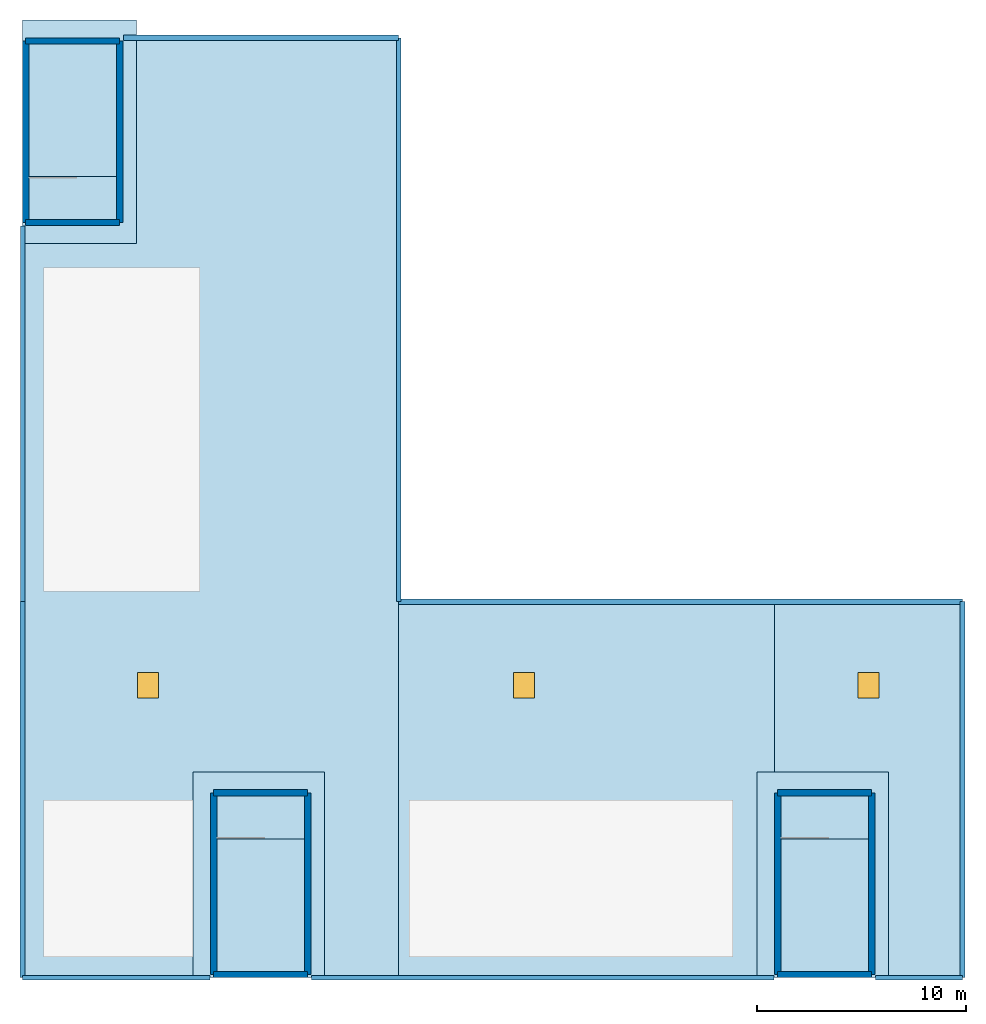
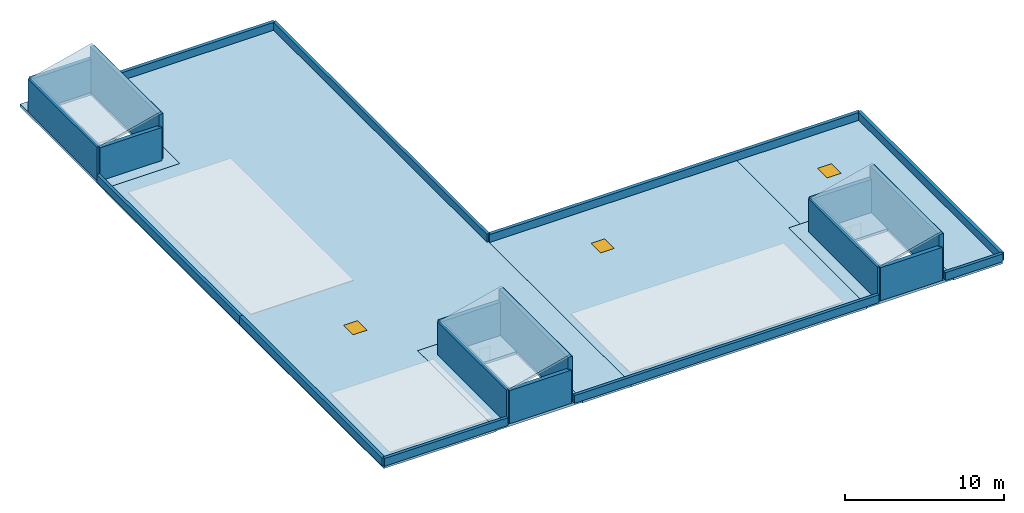
# One storey, part 1 of 2: 21 walls, 9 slabs, 3 doors, 3 openings.
"""IFC4 building model written with IfcOpenShell, lengths in metres."""

import ifcopenshell
import ifcopenshell.guid

model = None  # the IFC model being written
_history = None  # IfcOwnerHistory: only IFC2X3 demands one
_inside = {}  # id of a spatial element -> (the spatial element, [elements in it])
_under = {}  # id of a project, library or spatial element -> (it, [spatial elements below it])
_declared = {}  # id of a project -> (the project, [libraries it declares])
_typed = {}  # id of a type object -> (the type object, [elements of that type])
_made_of = {}  # id of a material, layer set ... -> (it, [elements and type objects made of it])


def new_model(schema):
    """Start an empty IFC model of exactly this schema.

    Asked for "IFC4X3", IfcOpenShell would pick the latest addendum, in which some entities
    have other attributes; the version numbers below select the first issue.
    IFC2X3 requires an IfcOwnerHistory on every rooted entity: one is made here for all.
    """
    global model, _history
    if schema == "IFC4X3":
        model = ifcopenshell.file(schema_version=(4, 3, 0, 0))
    else:
        model = ifcopenshell.file(schema=schema)
    _inside.clear()
    _under.clear()
    _declared.clear()
    _typed.clear()
    _made_of.clear()
    _history = None
    if model.schema == "IFC2X3":
        org = make("IfcOrganization", Name="unknown")
        user = make(
            "IfcPersonAndOrganization",
            ThePerson=make("IfcPerson", FamilyName="unknown"),
            TheOrganization=org,
        )
        app = make(
            "IfcApplication",
            ApplicationDeveloper=org,
            Version="unknown",
            ApplicationFullName="unknown",
            ApplicationIdentifier="unknown",
        )
        _history = make(
            "IfcOwnerHistory",
            OwningUser=user,
            OwningApplication=app,
            ChangeAction="ADDED",
            CreationDate=0,
        )
    return model


def make(cls, **values):
    """One entity of the class cls with the attributes given. An attribute that is None is left unset."""
    return model.create_entity(
        cls, **{name: value for name, value in values.items() if value is not None}
    )


def rooted(cls, **values):
    """An entity with a GlobalId (a new one), such as an element, a storey or a relation."""
    return make(cls, GlobalId=ifcopenshell.guid.new(), OwnerHistory=_history, **values)


def si_unit(unit_type, name, prefix=None):
    """IfcSIUnit, for example si_unit("LENGTHUNIT", "METRE", prefix="MILLI")."""
    return make("IfcSIUnit", UnitType=unit_type, Prefix=prefix, Name=name)


def assignment(units):
    """IfcUnitAssignment: the units of a project."""
    return None if units is None else make("IfcUnitAssignment", Units=units)


def point(xyz):
    """IfcCartesianPoint."""
    return None if xyz is None else make("IfcCartesianPoint", Coordinates=xyz)


def direction(xyz):
    """IfcDirection."""
    return None if xyz is None else make("IfcDirection", DirectionRatios=xyz)


def frame(location, z_axis=None, x_axis=None):
    """IfcAxis2Placement3D, a coordinate frame: its origin and axes. An axis left out is left unset."""
    return make(
        "IfcAxis2Placement3D",
        Location=point(location),
        Axis=direction(z_axis),
        RefDirection=direction(x_axis),
    )


def frame_2d(location, x_axis=None):
    """IfcAxis2Placement2D, a coordinate frame in the plane: its origin and x axis."""
    return make(
        "IfcAxis2Placement2D", Location=point(location), RefDirection=direction(x_axis)
    )


def origin():
    """The frame at (0, 0, 0) with its axes left unset."""
    return frame((0.0, 0.0, 0.0))


def origin_2d():
    """The frame at (0, 0) in the plane with its x axis left unset."""
    return frame_2d((0.0, 0.0))


def place(relative_to, where):
    """IfcLocalPlacement: puts the frame where relative to a parent placement (None: the world)."""
    return make(
        "IfcLocalPlacement", PlacementRelTo=relative_to, RelativePlacement=where
    )


def context(
    kind, dimensions, precision=None, world=None, true_north=None, identifier=None
):
    """IfcGeometricRepresentationContext, for example the 3D "Model" context."""
    return make(
        "IfcGeometricRepresentationContext",
        ContextIdentifier=identifier,
        ContextType=kind,
        CoordinateSpaceDimension=dimensions,
        Precision=precision,
        WorldCoordinateSystem=world,
        TrueNorth=true_north,
    )


def subcontext(parent, identifier, kind, view, scale=None):
    """IfcGeometricRepresentationSubContext, for example "Body" below "Model"."""
    return make(
        "IfcGeometricRepresentationSubContext",
        ContextIdentifier=identifier,
        ContextType=kind,
        ParentContext=parent,
        TargetScale=scale,
        TargetView=view,
    )


def project(units=None, contexts=None):
    """IfcProject with its units and contexts."""
    return rooted(
        "IfcProject",
        Name="project",
        RepresentationContexts=contexts,
        UnitsInContext=assignment(units),
    )


def spatial(cls, under=None, at=None, **own):
    """A site, building, storey or space (cls), placed at a placement, below another one or the project."""
    s = rooted(cls, ObjectPlacement=at, **own)
    if under is not None:
        _under.setdefault(under.id(), (under, []))[1].append(s)
    return s


def polyline(points):
    """IfcPolyline through the points."""
    return make("IfcPolyline", Points=[point(p) for p in points])


def profile(cls, at=None, kind="AREA", **sizes):
    """A parametric profile (cls). Its sizes go by their IFC names, for example OverallWidth=200.0."""
    return make(cls, ProfileType=kind, Position=at, **sizes)


def rectangle(**sizes):
    """IfcRectangleProfileDef."""
    return profile("IfcRectangleProfileDef", **sizes)


def outline(outer, holes=None, kind="AREA"):
    """IfcArbitraryClosedProfileDef: a profile drawn as a closed curve; with holes, ...WithVoids."""
    if holes is None:
        return make("IfcArbitraryClosedProfileDef", ProfileType=kind, OuterCurve=outer)
    return make(
        "IfcArbitraryProfileDefWithVoids",
        ProfileType=kind,
        OuterCurve=outer,
        InnerCurves=holes,
    )


def extrude(swept, where, along, depth):
    """IfcExtrudedAreaSolid: the profile swept, set in the frame where, extruded along a direction by depth."""
    return make(
        "IfcExtrudedAreaSolid",
        SweptArea=swept,
        Position=where,
        ExtrudedDirection=direction(along),
        Depth=depth,
    )


def shape(context_of_items, identifier, shape_type, items):
    """IfcShapeRepresentation: the items that make up one representation, for example the "Body"."""
    return make(
        "IfcShapeRepresentation",
        ContextOfItems=context_of_items,
        RepresentationIdentifier=identifier,
        RepresentationType=shape_type,
        Items=items,
    )


def material(Name=None, Category=None):
    """IfcMaterial."""
    return make("IfcMaterial", Name=Name, Category=Category)


def layer(
    of_material, thickness, ventilated=None, Name=None, Category=None, Priority=None
):
    """IfcMaterialLayer: one layer of a wall or slab, of a material (None: an air gap)."""
    return make(
        "IfcMaterialLayer",
        Material=of_material,
        LayerThickness=thickness,
        IsVentilated=ventilated,
        Name=Name,
        Category=Category,
        Priority=Priority,
    )


def layer_set(layers, Name=None):
    """IfcMaterialLayerSet."""
    return make("IfcMaterialLayerSet", MaterialLayers=layers, LayerSetName=Name)


def made_of(thing, what):
    """Note that an element or type object is made of a material, layer set ...; save() writes the relation."""
    if what is not None:
        _made_of.setdefault(what.id(), (what, []))[1].append(thing)
    return thing


def type_object(cls, material=None, **own):
    """A type object (cls), such as IfcWallType, which elements share."""
    return made_of(rooted(cls, **own), material)


def element(
    cls,
    number,
    at=None,
    inside=None,
    cuts=None,
    type_object=None,
    material=None,
    context=None,
    identifier="Body",
    shape_type=None,
    held_by="IfcProductDefinitionShape",
    body=None,
    shapes=None,
    **own,
):
    """One element of the class cls, such as IfcWall. Its Tag is "e" and its number.

    at: its placement. inside: the storey or other place that contains it. cuts: it is an
    opening in that element (IfcRelVoidsElement). A single representation is given by context,
    identifier, shape_type and body (its items); several are given by shapes. held_by: the class
    of the entity that holds the representations. save() writes the other relations.
    """
    e = rooted(cls, Tag="e%d" % number, ObjectPlacement=at, **own)
    if body is not None:
        shapes = [shape(context, identifier, shape_type, body)]
    if shapes is not None:
        e.Representation = make(held_by, Representations=shapes)
    if inside is not None:
        _inside.setdefault(inside.id(), (inside, []))[1].append(e)
    if cuts is not None:
        rooted(
            "IfcRelVoidsElement", RelatingBuildingElement=cuts, RelatedOpeningElement=e
        )
    if type_object is not None:
        _typed.setdefault(type_object.id(), (type_object, []))[1].append(e)
    return made_of(e, material)


def fill(opening, filler):
    """IfcRelFillsElement: the door or window that sits in an opening."""
    return rooted(
        "IfcRelFillsElement",
        RelatingOpeningElement=opening,
        RelatedBuildingElement=filler,
    )


def aggregate(whole, parts):
    """IfcRelAggregates: a whole, such as a stair, and the parts it consists of."""
    return rooted("IfcRelAggregates", RelatingObject=whole, RelatedObjects=parts)


def save(model, path):
    """Write the relations noted so far, then the file.

    IfcRelAggregates (storeys below a building ...), IfcRelContainedInSpatialStructure (elements
    in a storey), IfcRelDefinesByType, IfcRelAssociatesMaterial and IfcRelDeclares: one each for
    every whole, place, type object, material and project.
    """
    for whole, parts in _under.values():
        aggregate(whole, parts)
    for where, things in _inside.values():
        rooted(
            "IfcRelContainedInSpatialStructure",
            RelatedElements=things,
            RelatingStructure=where,
        )
    for kind, things in _typed.values():
        rooted("IfcRelDefinesByType", RelatedObjects=things, RelatingType=kind)
    for what, things in _made_of.values():
        rooted("IfcRelAssociatesMaterial", RelatedObjects=things, RelatingMaterial=what)
    for by, libraries in _declared.values():
        rooted("IfcRelDeclares", RelatingContext=by, RelatedDefinitions=libraries)
    model.write(path)


model = new_model("IFC4")

# Units and contexts
model_context = context("Model", 3, precision=1e-05, world=origin(), true_north=direction((0.0, 1.0)))
body_context = subcontext(model_context, "Body", "Model", "MODEL_VIEW")
ifc_project = project(units=[si_unit("LENGTHUNIT", "METRE"), si_unit("AREAUNIT", "SQUARE_METRE"), si_unit("VOLUMEUNIT", "CUBIC_METRE"), si_unit("PLANEANGLEUNIT", "RADIAN"), si_unit("MASSUNIT", "GRAM", prefix="KILO")], contexts=[model_context])

# Site, building, storey
site_placement = place(None, origin())
site = spatial("IfcSite", under=ifc_project, at=site_placement, CompositionType="ELEMENT")
building_placement = place(site_placement, origin())
building = spatial("IfcBuilding", under=site, at=building_placement, Name="Palais des Congres Ocreval", CompositionType="ELEMENT")
storey_placement = place(building_placement, frame((0.0, 0.0, 30.39990234375)))
storey = spatial("IfcBuildingStorey", under=building, at=storey_placement, Name="RF", CompositionType="ELEMENT", Elevation=30.39990234375)

# Slab, opening, door
ifc_material_1 = material(Name="Concrete C40/50", Category="concrete")
ifc_layer_1 = layer(ifc_material_1, 0.25)
ifc_layer_set_1 = layer_set([ifc_layer_1], Name="Folded and Crown Roof Deck 250 Concrete C40/50")
slab_type_1 = type_object("IfcSlabType", Name="Folded and Crown Roof Deck 250 Concrete C40/50", PredefinedType="ROOF", material=ifc_layer_set_1)
slab_1_placement = place(storey_placement, frame((0.0, 0.0, -0.25)))
slab_1 = element("IfcSlab", 1, at=slab_1_placement, inside=storey, type_object=slab_type_1, Name="Roof Slab SL09 RF V4-1", PredefinedType="ROOF", context=body_context, shape_type="SweptSolid", body=[
    extrude(outline(polyline([(14.449951171875, 0.0), (14.449951171875, 9.85009765625), (8.14990234375, 9.85009765625), (8.14990234375, 0.0), (0.0, 0.0), (0.0, 18.0), (0.0, 35.14990234375), (5.449951171875, 35.14990234375), (5.449951171875, 45.0), (18.0, 45.0), (18.0, 18.0), (18.0, 0.0), (14.449951171875, 0.0)])), origin(), (0.0, 0.0, 1.0), 0.25),
])
opening_1_placement = place(slab_1_placement, frame((6.0, 14.0, 0.0)))
opening_1 = element("IfcOpeningElement", 2, at=opening_1_placement, cuts=slab_1, Name="Opening RH01", PredefinedType="OPENING", context=body_context, shape_type="SweptSolid", body=[
    extrude(rectangle(XDim=1.0, YDim=1.199951171875, at=origin_2d()), frame((0.0, 0.0, -0.010009765625), z_axis=(0.0, 0.0, 1.0), x_axis=(1.0, 0.0, 0.0)), (0.0, 0.0, 1.0), 0.27001953125),
])
ifc_material_2 = material(Name="Galvanized painted steel", Category="steel")
door_type = type_object("IfcDoorType", Name="Insulated Roof Access Hatch 1000x1200", OperationType="NOTDEFINED", PredefinedType="TRAPDOOR", material=ifc_material_2)
door_1_placement = place(opening_1_placement, frame((0.0, 0.0, 0.199951171875)))
door_1 = element("IfcDoor", 3, at=door_1_placement, inside=storey, type_object=door_type, Name="Roof Access Hatch RH01 1", OperationType="SINGLE_SWING_LEFT", OverallHeight=1.199951171875, OverallWidth=1.0, PredefinedType="TRAPDOOR", context=body_context, shape_type="SweptSolid", body=[
    extrude(rectangle(XDim=1.0, YDim=1.199951171875, at=origin_2d()), origin(), (0.0, 0.0, 1.0), 0.050048828125),
])
fill(opening_1, door_1)

slab_2_placement = place(storey_placement, frame((0.0, 0.0, -0.25)))
slab_2 = element("IfcSlab", 4, at=slab_2_placement, inside=storey, type_object=slab_type_1, Name="Roof Slab SL09 RF V4-2", PredefinedType="ROOF", context=body_context, shape_type="SweptSolid", body=[
    extrude(outline(polyline([(35.14990234375, 9.85009765625), (35.14990234375, 0.0), (18.0, 0.0), (18.0, 18.0), (36.0, 18.0), (36.0, 9.85009765625), (35.14990234375, 9.85009765625)])), origin(), (0.0, 0.0, 1.0), 0.25),
])
opening_2_placement = place(slab_2_placement, frame((24.0, 14.0, 0.0)))
opening_2 = element("IfcOpeningElement", 5, at=opening_2_placement, cuts=slab_2, Name="Opening RH01", PredefinedType="OPENING", context=body_context, shape_type="SweptSolid", body=[
    extrude(rectangle(XDim=1.0, YDim=1.199951171875, at=origin_2d()), frame((0.0, 0.0, -0.010009765625), z_axis=(0.0, 0.0, 1.0), x_axis=(1.0, 0.0, 0.0)), (0.0, 0.0, 1.0), 0.27001953125),
])
door_2_placement = place(opening_2_placement, frame((0.0, 0.0, 0.199951171875)))
door_2 = element("IfcDoor", 6, at=door_2_placement, inside=storey, type_object=door_type, Name="Roof Access Hatch RH01 2", OperationType="SINGLE_SWING_LEFT", OverallHeight=1.199951171875, OverallWidth=1.0, PredefinedType="TRAPDOOR", context=body_context, shape_type="SweptSolid", body=[
    extrude(rectangle(XDim=1.0, YDim=1.199951171875, at=origin_2d()), origin(), (0.0, 0.0, 1.0), 0.050048828125),
])
fill(opening_2, door_2)

slab_3_placement = place(storey_placement, frame((0.0, 0.0, -0.25)))
slab_3 = element("IfcSlab", 7, at=slab_3_placement, inside=storey, type_object=slab_type_1, Name="Roof Slab SL09 RF V4-3", PredefinedType="ROOF", context=body_context, shape_type="SweptSolid", body=[
    extrude(outline(polyline([(41.449951171875, 0.0), (41.449951171875, 9.85009765625), (36.0, 9.85009765625), (36.0, 18.0), (45.0, 18.0), (45.0, 0.0), (41.449951171875, 0.0)])), origin(), (0.0, 0.0, 1.0), 0.25),
])
opening_3_placement = place(slab_3_placement, frame((40.5, 14.0, 0.0)))
opening_3 = element("IfcOpeningElement", 8, at=opening_3_placement, cuts=slab_3, Name="Opening RH01", PredefinedType="OPENING", context=body_context, shape_type="SweptSolid", body=[
    extrude(rectangle(XDim=1.0, YDim=1.199951171875, at=origin_2d()), frame((0.0, 0.0, -0.010009765625), z_axis=(0.0, 0.0, 1.0), x_axis=(1.0, 0.0, 0.0)), (0.0, 0.0, 1.0), 0.27001953125),
])
door_3_placement = place(opening_3_placement, frame((0.0, 0.0, 0.199951171875)))
door_3 = element("IfcDoor", 9, at=door_3_placement, inside=storey, type_object=door_type, Name="Roof Access Hatch RH01 3", OperationType="SINGLE_SWING_LEFT", OverallHeight=1.199951171875, OverallWidth=1.0, PredefinedType="TRAPDOOR", context=body_context, shape_type="SweptSolid", body=[
    extrude(rectangle(XDim=1.0, YDim=1.199951171875, at=origin_2d()), origin(), (0.0, 0.0, 1.0), 0.050048828125),
])
fill(opening_3, door_3)

# Slabs
ifc_layer_2 = layer(ifc_material_1, 0.175048828125)
ifc_layer_set_2 = layer_set([ifc_layer_2], Name="Penthouse Shed Roof Slab 175 Concrete C40/50")
slab_type_2 = type_object("IfcSlabType", Name="Penthouse Shed Roof Slab 175 Concrete C40/50", PredefinedType="ROOF", material=ifc_layer_set_2)
for number, where, z_axis, x_axis, name in (
    (10, (9.14990234375, 0.14990234375, 2.550048828125), (-0.241941038466, 0.0, 0.970290953223), (0.970290953223, 0.0, 0.241941038466), "Penthouse Pitched Overrun Roof SC01"),
    (11, (36.14990234375, 0.14990234375, 2.550048828125), (-0.241941038466, 0.0, 0.970290953223), (0.970290953223, 0.0, 0.241941038466), "Penthouse Pitched Overrun Roof SC02"),
    (12, (0.14990234375, 36.14990234375, 2.550048828125), (-0.241941038466, 0.0, 0.970290953223), (0.970290953223, 0.0, 0.241941038466), "Penthouse Pitched Overrun Roof SC03"),
):
    element("IfcSlab", number, at=place(storey_placement, frame(where, z_axis=z_axis, x_axis=x_axis)), inside=storey, type_object=slab_type_2, Name=name, PredefinedType="ROOF", context=body_context, shape_type="SweptSolid", body=[
        extrude(outline(polyline([(0.0, 0.0), (4.637784146140681, 0.0), (4.637784146140681, 8.7001953125), (0.0, 8.7001953125), (0.0, 0.0)])), origin(), (0.0, 0.0, -1.0), 0.175048828125),
    ])
ifc_layer_3 = layer(ifc_material_1, 0.199951171875)
ifc_layer_set_3 = layer_set([ifc_layer_3], Name="Stair and Ramp Landing Slab 200 Concrete C40/50")
slab_type_3 = type_object("IfcSlabType", Name="Stair and Ramp Landing Slab 200 Concrete C40/50", PredefinedType="LANDING", material=ifc_layer_set_3)
slab_4_placement = place(storey_placement, frame((0.0, 0.0, -0.199951171875)))
element("IfcSlab", 13, at=slab_4_placement, inside=storey, type_object=slab_type_3, Name="Roof Penthouse Stair Landing ST01", PredefinedType="LANDING", context=body_context, shape_type="SweptSolid", body=[
    extrude(outline(polyline([(8.14990234375, 0.0), (14.449951171875, 0.0), (14.449951171875, 9.85009765625), (8.14990234375, 9.85009765625), (8.14990234375, 0.0)]), holes=[polyline([(9.300048828125, 0.300048828125), (13.5, 0.300048828125), (13.5, 6.64990234375), (9.300048828125, 6.64990234375), (9.300048828125, 0.300048828125)])]), origin(), (0.0, 0.0, 1.0), 0.199951171875),
])
slab_5_placement = place(storey_placement, frame((0.0, 0.0, -0.199951171875)))
element("IfcSlab", 14, at=slab_5_placement, inside=storey, type_object=slab_type_3, Name="Roof Penthouse Stair Landing ST02", PredefinedType="LANDING", context=body_context, shape_type="SweptSolid", body=[
    extrude(outline(polyline([(35.14990234375, 0.0), (41.449951171875, 0.0), (41.449951171875, 9.85009765625), (35.14990234375, 9.85009765625), (35.14990234375, 0.0)]), holes=[polyline([(36.300048828125, 0.300048828125), (40.5, 0.300048828125), (40.5, 6.64990234375), (36.300048828125, 6.64990234375), (36.300048828125, 0.300048828125)])]), origin(), (0.0, 0.0, 1.0), 0.199951171875),
])
slab_6_placement = place(storey_placement, frame((0.0, 0.0, -0.199951171875)))
element("IfcSlab", 15, at=slab_6_placement, inside=storey, type_object=slab_type_3, Name="Roof Penthouse Stair Landing ST03", PredefinedType="LANDING", context=body_context, shape_type="SweptSolid", body=[
    extrude(outline(polyline([(0.0, 35.14990234375), (5.449951171875, 35.14990234375), (5.449951171875, 45.85009765625), (0.0, 45.85009765625), (0.0, 35.14990234375)]), holes=[polyline([(0.300048828125, 38.35009765625), (4.5, 38.35009765625), (4.5, 44.699951171875), (0.300048828125, 44.699951171875), (0.300048828125, 38.35009765625)])]), origin(), (0.0, 0.0, 1.0), 0.199951171875),
])

# Walls
ifc_layer_4 = layer(ifc_material_1, 0.300048828125)
ifc_layer_set_4 = layer_set([ifc_layer_4], Name="Core Shear Wall 300 Concrete C40/50")
wall_type_1 = type_object("IfcWallType", Name="Core Shear Wall 300 Concrete C40/50", PredefinedType="SHEAR", material=ifc_layer_set_4)
wall_1_placement = place(storey_placement, frame((9.14990234375, 0.14990234375, 0.0), z_axis=(0.0, 0.0, 1.0), x_axis=(1.0, 0.0, 0.0)))
element("IfcWall", 16, at=wall_1_placement, inside=storey, type_object=wall_type_1, Name="Roof Stair Penthouse Wall SC01 S", PredefinedType="SHEAR", context=body_context, shape_type="SweptSolid", body=[
    extrude(rectangle(XDim=4.5, YDim=0.300048828125, at=frame_2d((2.25, 0.0))), origin(), (0.0, 0.0, 1.0), 2.550048828125),
])
wall_2_placement = place(storey_placement, frame((13.64990234375, 0.14990234375, 0.0), z_axis=(0.0, 0.0, 1.0), x_axis=(0.0, 1.0, 0.0)))
element("IfcWall", 17, at=wall_2_placement, inside=storey, type_object=wall_type_1, Name="Roof Stair Penthouse Wall SC01 E", PredefinedType="SHEAR", context=body_context, shape_type="SweptSolid", body=[
    extrude(rectangle(XDim=8.7001953125, YDim=0.300048828125, at=frame_2d((4.35009765625, 0.0))), origin(), (0.0, 0.0, 1.0), 3.482177734375),
])
wall_3_placement = place(storey_placement, frame((13.64990234375, 8.85009765625, 0.0), z_axis=(0.0, 0.0, 1.0), x_axis=(-1.0, 0.0, 0.0)))
element("IfcWall", 18, at=wall_3_placement, inside=storey, type_object=wall_type_1, Name="Roof Stair Penthouse Wall SC01 N", PredefinedType="SHEAR", context=body_context, shape_type="SweptSolid", body=[
    extrude(rectangle(XDim=4.5, YDim=0.300048828125, at=frame_2d((2.25, 0.0))), origin(), (0.0, 0.0, 1.0), 2.550048828125),
])
wall_4_placement = place(storey_placement, frame((9.14990234375, 8.85009765625, 0.0), z_axis=(0.0, 0.0, 1.0), x_axis=(0.0, -1.0, 0.0)))
element("IfcWall", 19, at=wall_4_placement, inside=storey, type_object=wall_type_1, Name="Roof Stair Penthouse Wall SC01 W", PredefinedType="SHEAR", context=body_context, shape_type="SweptSolid", body=[
    extrude(rectangle(XDim=8.7001953125, YDim=0.300048828125, at=frame_2d((4.35009765625, 0.0))), origin(), (0.0, 0.0, 1.0), 2.550048828125),
])
wall_5_placement = place(storey_placement, frame((36.14990234375, 0.14990234375, 0.0), z_axis=(0.0, 0.0, 1.0), x_axis=(1.0, 0.0, 0.0)))
element("IfcWall", 20, at=wall_5_placement, inside=storey, type_object=wall_type_1, Name="Roof Stair Penthouse Wall SC02 S", PredefinedType="SHEAR", context=body_context, shape_type="SweptSolid", body=[
    extrude(rectangle(XDim=4.5, YDim=0.300048828125, at=frame_2d((2.25, 0.0))), origin(), (0.0, 0.0, 1.0), 2.550048828125),
])
wall_6_placement = place(storey_placement, frame((40.64990234375, 0.14990234375, 0.0), z_axis=(0.0, 0.0, 1.0), x_axis=(0.0, 1.0, 0.0)))
element("IfcWall", 21, at=wall_6_placement, inside=storey, type_object=wall_type_1, Name="Roof Stair Penthouse Wall SC02 E", PredefinedType="SHEAR", context=body_context, shape_type="SweptSolid", body=[
    extrude(rectangle(XDim=8.7001953125, YDim=0.300048828125, at=frame_2d((4.35009765625, 0.0))), origin(), (0.0, 0.0, 1.0), 3.482177734375),
])
wall_7_placement = place(storey_placement, frame((40.64990234375, 8.85009765625, 0.0), z_axis=(0.0, 0.0, 1.0), x_axis=(-1.0, 0.0, 0.0)))
element("IfcWall", 22, at=wall_7_placement, inside=storey, type_object=wall_type_1, Name="Roof Stair Penthouse Wall SC02 N", PredefinedType="SHEAR", context=body_context, shape_type="SweptSolid", body=[
    extrude(rectangle(XDim=4.5, YDim=0.300048828125, at=frame_2d((2.25, 0.0))), origin(), (0.0, 0.0, 1.0), 2.550048828125),
])
wall_8_placement = place(storey_placement, frame((36.14990234375, 8.85009765625, 0.0), z_axis=(0.0, 0.0, 1.0), x_axis=(0.0, -1.0, 0.0)))
element("IfcWall", 23, at=wall_8_placement, inside=storey, type_object=wall_type_1, Name="Roof Stair Penthouse Wall SC02 W", PredefinedType="SHEAR", context=body_context, shape_type="SweptSolid", body=[
    extrude(rectangle(XDim=8.7001953125, YDim=0.300048828125, at=frame_2d((4.35009765625, 0.0))), origin(), (0.0, 0.0, 1.0), 2.550048828125),
])
wall_9_placement = place(storey_placement, frame((0.14990234375, 36.14990234375, 0.0), z_axis=(0.0, 0.0, 1.0), x_axis=(1.0, 0.0, 0.0)))
element("IfcWall", 24, at=wall_9_placement, inside=storey, type_object=wall_type_1, Name="Roof Stair Penthouse Wall SC03 S", PredefinedType="SHEAR", context=body_context, shape_type="SweptSolid", body=[
    extrude(rectangle(XDim=4.5, YDim=0.300048828125, at=frame_2d((2.25, 0.0))), origin(), (0.0, 0.0, 1.0), 2.550048828125),
])
wall_10_placement = place(storey_placement, frame((4.64990234375, 36.14990234375, 0.0), z_axis=(0.0, 0.0, 1.0), x_axis=(0.0, 1.0, 0.0)))
element("IfcWall", 25, at=wall_10_placement, inside=storey, type_object=wall_type_1, Name="Roof Stair Penthouse Wall SC03 E", PredefinedType="SHEAR", context=body_context, shape_type="SweptSolid", body=[
    extrude(rectangle(XDim=8.7001953125, YDim=0.300048828125, at=frame_2d((4.35009765625, 0.0))), origin(), (0.0, 0.0, 1.0), 3.482177734375),
])
wall_11_placement = place(storey_placement, frame((4.64990234375, 44.85009765625, 0.0), z_axis=(0.0, 0.0, 1.0), x_axis=(-1.0, 0.0, 0.0)))
element("IfcWall", 26, at=wall_11_placement, inside=storey, type_object=wall_type_1, Name="Roof Stair Penthouse Wall SC03 N", PredefinedType="SHEAR", context=body_context, shape_type="SweptSolid", body=[
    extrude(rectangle(XDim=4.5, YDim=0.300048828125, at=frame_2d((2.25, 0.0))), origin(), (0.0, 0.0, 1.0), 2.550048828125),
])
wall_12_placement = place(storey_placement, frame((0.14990234375, 44.85009765625, 0.0), z_axis=(0.0, 0.0, 1.0), x_axis=(0.0, -1.0, 0.0)))
element("IfcWall", 27, at=wall_12_placement, inside=storey, type_object=wall_type_1, Name="Roof Stair Penthouse Wall SC03 W", PredefinedType="SHEAR", context=body_context, shape_type="SweptSolid", body=[
    extrude(rectangle(XDim=8.7001953125, YDim=0.300048828125, at=frame_2d((4.35009765625, 0.0))), origin(), (0.0, 0.0, 1.0), 2.550048828125),
])
ifc_layer_5 = layer(ifc_material_1, 0.25)
ifc_layer_set_5 = layer_set([ifc_layer_5], Name="Roof Parapet Upstand 250 Concrete C40/50")
wall_type_2 = type_object("IfcWallType", Name="Roof Parapet Upstand 250 Concrete C40/50", PredefinedType="PARAPET", material=ifc_layer_set_5)
for number, where, z_axis, x_axis, name in (
    (28, (45.0, 18.0, 0.0), (0.0, 0.0, 1.0), (0.0, -1.0, 0.0), "Crown Roof Parapet PW01"),
    (29, (0.0, 0.0, 0.0), (0.0, 0.0, 1.0), (0.0, 1.0, 0.0), "Crown Roof Parapet PW01"),
):
    element("IfcWall", number, at=place(storey_placement, frame(where, z_axis=z_axis, x_axis=x_axis)), inside=storey, type_object=wall_type_2, Name=name, PredefinedType="PARAPET", context=body_context, shape_type="SweptSolid", body=[
        extrude(rectangle(XDim=18.0, YDim=0.25, at=frame_2d((9.0, 0.0))), origin(), (0.0, 0.0, 1.0), 0.60009765625),
    ])
wall_13_placement = place(storey_placement, frame((4.820068359375, 45.0, 0.0), z_axis=(0.0, 0.0, 1.0), x_axis=(1.0, 0.0, 0.0)))
element("IfcWall", 30, at=wall_13_placement, inside=storey, type_object=wall_type_2, Name="Crown Roof Parapet PW01", PredefinedType="PARAPET", context=body_context, shape_type="SweptSolid", body=[
    extrude(rectangle(XDim=13.179931640625, YDim=0.25, at=frame_2d((6.58984375, 0.0))), origin(), (0.0, 0.0, 1.0), 0.60009765625),
])
wall_14_placement = place(storey_placement, frame((18.0, 18.0, 0.0), z_axis=(0.0, 0.0, 1.0), x_axis=(1.0, 0.0, 0.0)))
element("IfcWall", 31, at=wall_14_placement, inside=storey, type_object=wall_type_2, Name="Crown Roof Parapet PW01", PredefinedType="PARAPET", context=body_context, shape_type="SweptSolid", body=[
    extrude(rectangle(XDim=27.0, YDim=0.25, at=frame_2d((13.5, 0.0))), origin(), (0.0, 0.0, 1.0), 0.60009765625),
])
ifc_layer_6 = layer(ifc_material_1, 0.219970703125)
ifc_layer_set_6 = layer_set([ifc_layer_6], Name="Terrace Curb Parapet 220 Concrete C40/50")
wall_type_3 = type_object("IfcWallType", Name="Terrace Curb Parapet 220 Concrete C40/50", PredefinedType="PARAPET", material=ifc_layer_set_6)
wall_15_placement = place(storey_placement, frame((45.0, 0.0, 0.0), z_axis=(0.0, 0.0, 1.0), x_axis=(-1.0, 0.0, 0.0)))
element("IfcWall", 32, at=wall_15_placement, inside=storey, type_object=wall_type_3, Name="Crown Roof Parapet PW02", PredefinedType="PARAPET", context=body_context, shape_type="SweptSolid", body=[
    extrude(rectangle(XDim=4.179931640625, YDim=0.219970703125, at=frame_2d((2.08984375, 0.0))), origin(), (0.0, 0.0, 1.0), 0.60009765625),
])
wall_16_placement = place(storey_placement, frame((35.97998046875, 0.0, 0.0), z_axis=(0.0, 0.0, 1.0), x_axis=(-1.0, 0.0, 0.0)))
element("IfcWall", 33, at=wall_16_placement, inside=storey, type_object=wall_type_3, Name="Crown Roof Parapet PW02", PredefinedType="PARAPET", context=body_context, shape_type="SweptSolid", body=[
    extrude(rectangle(XDim=22.159912109375, YDim=0.219970703125, at=frame_2d((11.080078125, 0.0))), origin(), (0.0, 0.0, 1.0), 0.60009765625),
])
wall_17_placement = place(storey_placement, frame((8.97998046875, 0.0, 0.0), z_axis=(0.0, 0.0, 1.0), x_axis=(-1.0, 0.0, 0.0)))
element("IfcWall", 34, at=wall_17_placement, inside=storey, type_object=wall_type_3, Name="Crown Roof Parapet PW02", PredefinedType="PARAPET", context=body_context, shape_type="SweptSolid", body=[
    extrude(rectangle(XDim=8.97998046875, YDim=0.219970703125, at=frame_2d((4.489990234375, 0.0))), origin(), (0.0, 0.0, 1.0), 0.60009765625),
])
wall_18_placement = place(storey_placement, frame((0.0, 18.0, 0.0), z_axis=(0.0, 0.0, 1.0), x_axis=(0.0, 1.0, 0.0)))
element("IfcWall", 35, at=wall_18_placement, inside=storey, type_object=wall_type_3, Name="Crown Roof Parapet PW02", PredefinedType="PARAPET", context=body_context, shape_type="SweptSolid", body=[
    extrude(rectangle(XDim=17.97998046875, YDim=0.219970703125, at=frame_2d((8.989990234375, 0.0))), origin(), (0.0, 0.0, 1.0), 0.60009765625),
])
wall_19_placement = place(storey_placement, frame((18.0, 45.0, 0.0), z_axis=(0.0, 0.0, 1.0), x_axis=(0.0, -1.0, 0.0)))
element("IfcWall", 36, at=wall_19_placement, inside=storey, type_object=wall_type_3, Name="Crown Roof Parapet PW02", PredefinedType="PARAPET", context=body_context, shape_type="SweptSolid", body=[
    extrude(rectangle(XDim=27.0, YDim=0.219970703125, at=frame_2d((13.5, 0.0))), origin(), (0.0, 0.0, 1.0), 0.60009765625),
])

save(model, "model.ifc")
